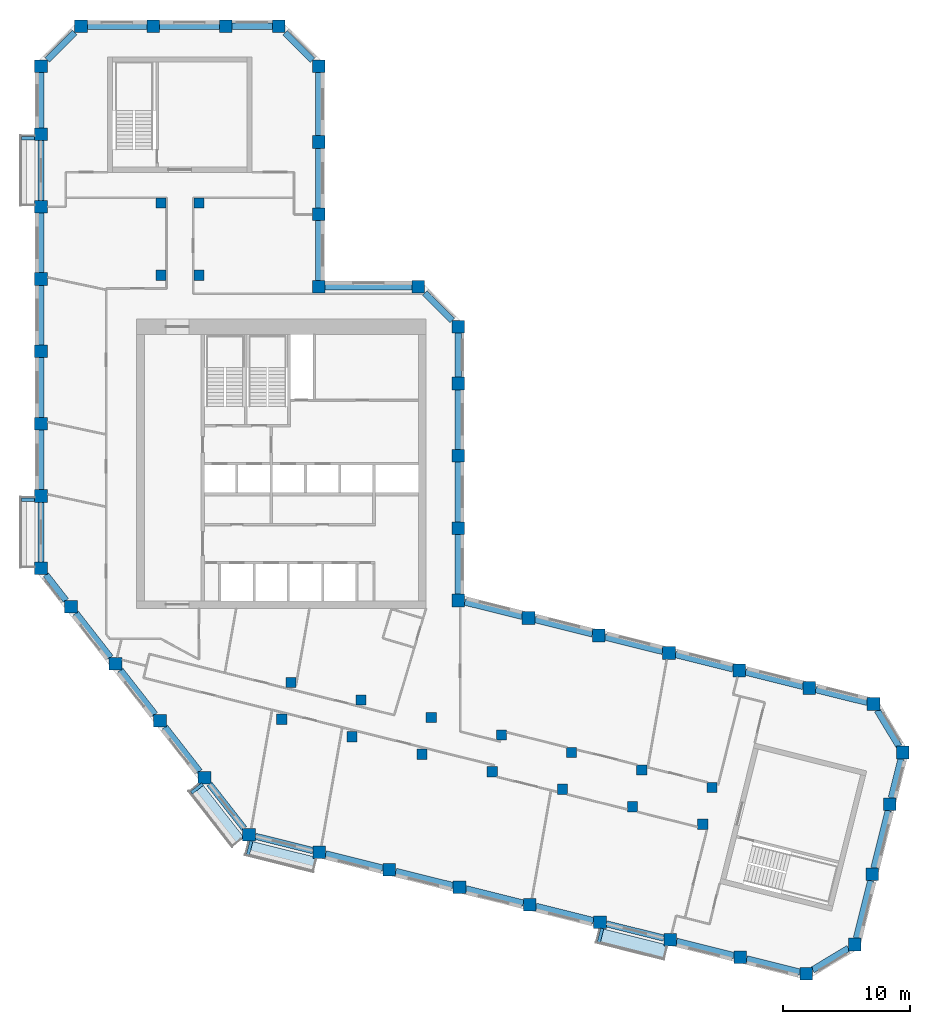
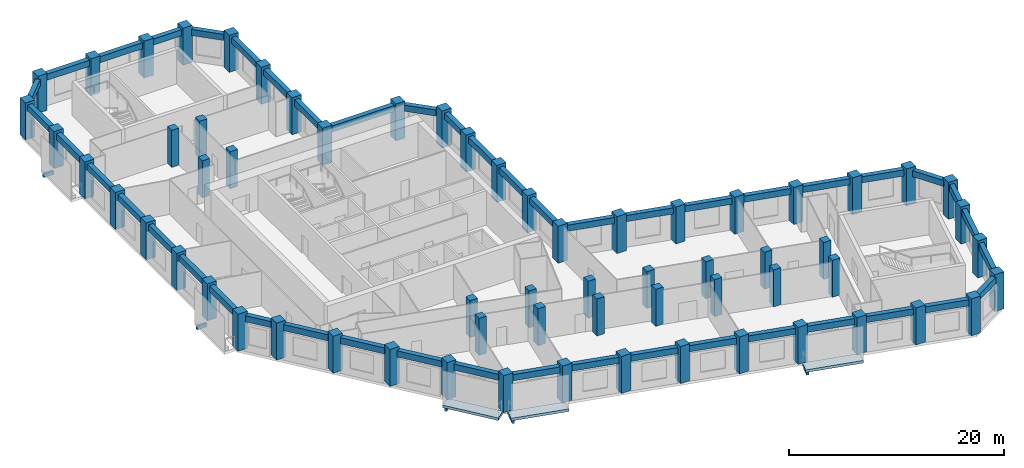
# One storey, part 1 of 9: 63 columns, 50 beams, 3 slabs.
"""IFC4 building model written with IfcOpenShell, lengths in metres."""

from ifc_helpers import new_model, si_unit, direction, frame, origin, origin_2d, place, context, subcontext, project, spatial, polyline, rectangle, outline, extrude, material, layer, layer_set, material_profile, profile_set, type_object, element, save


model = new_model("IFC4")

# Units and contexts
model_context = context("Model", 3, precision=1e-05, world=origin(), true_north=direction((0.0, 1.0)))
body_context = subcontext(model_context, "Body", "Model", "MODEL_VIEW")
ifc_project = project(units=[si_unit("LENGTHUNIT", "METRE"), si_unit("AREAUNIT", "SQUARE_METRE"), si_unit("VOLUMEUNIT", "CUBIC_METRE"), si_unit("PLANEANGLEUNIT", "RADIAN"), si_unit("MASSUNIT", "GRAM", prefix="KILO")], contexts=[model_context])

# Site, building, storey
site_placement = place(None, origin())
site = spatial("IfcSite", under=ifc_project, at=site_placement, CompositionType="ELEMENT")
building_placement = place(site_placement, origin())
building = spatial("IfcBuilding", under=site, at=building_placement, Name="Meshkara Civic Tower", CompositionType="ELEMENT")
storey_placement = place(building_placement, frame((0.0, 0.0, 298.199951171875)))
storey = spatial("IfcBuildingStorey", under=building, at=storey_placement, Name="L68", CompositionType="ELEMENT", Elevation=298.199951171875)

# Columns
ifc_material_1 = material(Name="Concrete C60", Category="concrete")
ifc_material_profile_1 = material_profile(ifc_material_1, rectangle(XDim=0.800048828125, YDim=0.800048828125, at=origin_2d()))
ifc_profile_set_1 = profile_set([ifc_material_profile_1], Name="Concrete C60")
column_type_1 = type_object("IfcColumnType", Name="Interior column RC 800x800 C60", PredefinedType="COLUMN", material=ifc_profile_set_1)
for number, where, z_axis, x_axis, name in (
    (1, (9.89990234375, 40.35009765625, 0.0), (0.0, 0.0, 1.0), (1.0, 0.0, 0.0), "Column SA1-04 L68"),
    (2, (9.89990234375, 46.050048828125, 0.0), (0.0, 0.0, 1.0), (1.0, 0.0, 0.0), "Column SA1-05 L68"),
    (3, (12.89990234375, 40.35009765625, 0.0), (0.0, 0.0, 1.0), (1.0, 0.0, 0.0), "Column SA2-04 L68"),
    (4, (12.89990234375, 46.050048828125, 0.0), (0.0, 0.0, 1.0), (1.0, 0.0, 0.0), "Column SA2-05 L68"),
    (5, (19.424072265625, 5.360107421875, 0.0), (0.0, 0.0, 1.0), (1.0, 0.0, 0.0), "Column SB1-00 L68"),
    (6, (24.9541015625, 3.98095703125, 0.0), (0.0, 0.0, 1.0), (1.0, 0.0, 0.0), "Column SB1-01 L68"),
    (7, (30.485107421875, 2.60205078125, 0.0), (0.0, 0.0, 1.0), (1.0, 0.0, 0.0), "Column SB1-02 L68"),
    (8, (36.01611328125, 1.222900390625, 0.0), (0.0, 0.0, 1.0), (1.0, 0.0, 0.0), "Column SB1-03 L68"),
    (9, (41.5458984375, -0.156005859375, 0.0), (0.0, 0.0, 1.0), (1.0, 0.0, 0.0), "Column SB1-04 L68"),
    (10, (47.076904296875, -1.534912109375, 0.0), (0.0, 0.0, 1.0), (1.0, 0.0, 0.0), "Column SB1-05 L68"),
    (11, (52.60791015625, -2.9140625, 0.0), (0.0, 0.0, 1.0), (1.0, 0.0, 0.0), "Column SB1-06 L68"),
    (12, (20.14892578125, 8.27099609375, 0.0), (0.0, 0.0, 1.0), (1.0, 0.0, 0.0), "Column SB2-00 L68"),
    (13, (25.679931640625, 6.89208984375, 0.0), (0.0, 0.0, 1.0), (1.0, 0.0, 0.0), "Column SB2-01 L68"),
    (14, (31.2109375, 5.512939453125, 0.0), (0.0, 0.0, 1.0), (1.0, 0.0, 0.0), "Column SB2-02 L68"),
    (15, (36.741943359375, 4.134033203125, 0.0), (0.0, 0.0, 1.0), (1.0, 0.0, 0.0), "Column SB2-03 L68"),
    (16, (42.27197265625, 2.7548828125, 0.0), (0.0, 0.0, 1.0), (1.0, 0.0, 0.0), "Column SB2-04 L68"),
    (17, (47.802978515625, 1.3759765625, 0.0), (0.0, 0.0, 1.0), (1.0, 0.0, 0.0), "Column SB2-05 L68"),
    (18, (53.333984375, -0.0029296875, 0.0), (0.0, 0.0, 1.0), (1.0, 0.0, 0.0), "Column SB2-06 L68"),
):
    element("IfcColumn", number, at=place(storey_placement, frame(where, z_axis=z_axis, x_axis=x_axis)), inside=storey, type_object=column_type_1, Name=name, PredefinedType="COLUMN", context=body_context, shape_type="SweptSolid", body=[
        extrude(rectangle(XDim=0.800048828125, YDim=0.800048828125, at=origin_2d()), origin(), (0.0, 0.0, 1.0), 4.199951171875),
    ])
ifc_material_2 = material(Name="Concrete C60", Category="concrete")
ifc_material_profile_2 = material_profile(ifc_material_2, rectangle(XDim=1.0, YDim=1.0, at=origin_2d()))
ifc_profile_set_2 = profile_set([ifc_material_profile_2], Name="Concrete C60")
column_type_2 = type_object("IfcColumnType", Name="Perimeter column RC 1000x1000 C60", PredefinedType="COLUMN", material=ifc_profile_set_2)
for number, where, z_axis, x_axis, name in (
    (19, (33.35009765625, 14.718994140625, 0.0), (0.0, 0.0, 1.0), (1.0, 0.0, 0.0), "Column HE00 L68"),
    (20, (33.35009765625, 20.4189453125, 0.0), (0.0, 0.0, 1.0), (1.0, 0.0, 0.0), "Column HE01 L68"),
    (21, (33.35009765625, 26.118896484375, 0.0), (0.0, 0.0, 1.0), (1.0, 0.0, 0.0), "Column HE02 L68"),
    (22, (33.35009765625, 31.819091796875, 0.0), (0.0, 0.0, 1.0), (1.0, 0.0, 0.0), "Column HE03 L68"),
    (23, (33.35009765625, 36.2939453125, 0.0), (0.0, 0.0, 1.0), (1.0, 0.0, 0.0), "Column HEE L68"),
    (24, (30.194091796875, 39.449951171875, 0.0), (0.0, 0.0, 1.0), (1.0, 0.0, 0.0), "Column HCeE L68"),
    (25, (22.35009765625, 39.449951171875, 0.0), (0.0, 0.0, 1.0), (1.0, 0.0, 0.0), "Column HN00 L68"),
    (26, (22.35009765625, 45.14990234375, 0.0), (0.0, 0.0, 1.0), (1.0, 0.0, 0.0), "Column AE01 L68"),
    (27, (22.35009765625, 50.85009765625, 0.0), (0.0, 0.0, 1.0), (1.0, 0.0, 0.0), "Column AE02 L68"),
    (28, (22.35009765625, 56.81396484375, 0.0), (0.0, 0.0, 1.0), (1.0, 0.0, 0.0), "Column AEEP4 L68"),
    (29, (19.194091796875, 59.969970703125, 0.0), (0.0, 0.0, 1.0), (1.0, 0.0, 0.0), "Column ATiEP4 L68"),
    (30, (3.60595703125, 59.969970703125, 0.0), (0.0, 0.0, 1.0), (1.0, 0.0, 0.0), "Column AT00-P4 L68"),
    (31, (9.305908203125, 59.969970703125, 0.0), (0.0, 0.0, 1.0), (1.0, 0.0, 0.0), "Column AT01-P4 L68"),
    (32, (15.006103515625, 59.969970703125, 0.0), (0.0, 0.0, 1.0), (1.0, 0.0, 0.0), "Column AT02-P4 L68"),
    (33, (0.449951171875, 56.81396484375, 0.0), (0.0, 0.0, 1.0), (1.0, 0.0, 0.0), "Column ATo00-P4 L68"),
    (34, (0.449951171875, 17.2548828125, 0.0), (0.0, 0.0, 1.0), (1.0, 0.0, 0.0), "Column AW00 L68"),
    (35, (0.449951171875, 22.955078125, 0.0), (0.0, 0.0, 1.0), (1.0, 0.0, 0.0), "Column AW01 L68"),
    (36, (0.449951171875, 28.655029296875, 0.0), (0.0, 0.0, 1.0), (1.0, 0.0, 0.0), "Column AW02 L68"),
    (37, (0.449951171875, 34.35498046875, 0.0), (0.0, 0.0, 1.0), (1.0, 0.0, 0.0), "Column AW03 L68"),
    (38, (0.449951171875, 40.054931640625, 0.0), (0.0, 0.0, 1.0), (1.0, 0.0, 0.0), "Column AW04 L68"),
    (39, (0.449951171875, 45.7548828125, 0.0), (0.0, 0.0, 1.0), (1.0, 0.0, 0.0), "Column AW05 L68"),
    (40, (0.449951171875, 51.455078125, 0.0), (0.0, 0.0, 1.0), (1.0, 0.0, 0.0), "Column AW06 L68"),
    (41, (16.85107421875, -3.738037109375, 0.0), (0.0, 0.0, 1.0), (1.0, 0.0, 0.0), "Column BOW00 L68"),
    (42, (13.342041015625, 0.75390625, 0.0), (0.0, 0.0, 1.0), (1.0, 0.0, 0.0), "Column BOW01 L68"),
    (43, (9.8330078125, 5.2451171875, 0.0), (0.0, 0.0, 1.0), (1.0, 0.0, 0.0), "Column BOW02 L68"),
    (44, (6.322998046875, 9.737060546875, 0.0), (0.0, 0.0, 1.0), (1.0, 0.0, 0.0), "Column BOW03 L68"),
    (45, (2.81396484375, 14.22900390625, 0.0), (0.0, 0.0, 1.0), (1.0, 0.0, 0.0), "Column BOW04 L68"),
    (46, (22.382080078125, -5.116943359375, 0.0), (0.0, 0.0, 1.0), (1.0, 0.0, 0.0), "Column BS01 L68"),
    (47, (27.912109375, -6.49609375, 0.0), (0.0, 0.0, 1.0), (1.0, 0.0, 0.0), "Column BS02 L68"),
    (48, (33.443115234375, -7.875, 0.0), (0.0, 0.0, 1.0), (1.0, 0.0, 0.0), "Column BS03 L68"),
    (49, (38.97412109375, -9.25390625, 0.0), (0.0, 0.0, 1.0), (1.0, 0.0, 0.0), "Column BS04 L68"),
    (50, (44.50390625, -10.633056640625, 0.0), (0.0, 0.0, 1.0), (1.0, 0.0, 0.0), "Column BS05-P4 L68"),
    (51, (50.034912109375, -12.011962890625, 0.0), (0.0, 0.0, 1.0), (1.0, 0.0, 0.0), "Column BS06-P4 L68"),
    (52, (55.56591796875, -13.389892578125, 0.0), (0.0, 0.0, 1.0), (1.0, 0.0, 0.0), "Column BS07 L68"),
    (53, (60.76611328125, -14.68701171875, 0.0), (0.0, 0.0, 1.0), (1.0, 0.0, 0.0), "Column BSEP4 L68"),
    (54, (64.591064453125, -12.386962890625, 0.0), (0.0, 0.0, 1.0), (1.0, 0.0, 0.0), "Column BToEP4 L68"),
    (55, (65.969970703125, -6.85595703125, 0.0), (0.0, 0.0, 1.0), (1.0, 0.0, 0.0), "Column BT01-P4 L68"),
    (56, (67.34912109375, -1.325927734375, 0.0), (0.0, 0.0, 1.0), (1.0, 0.0, 0.0), "Column BT02-P4 L68"),
    (57, (68.362060546875, 2.736083984375, 0.0), (0.0, 0.0, 1.0), (1.0, 0.0, 0.0), "Column BTEP4 L68"),
    (58, (66.06298828125, 6.56201171875, 0.0), (0.0, 0.0, 1.0), (1.0, 0.0, 0.0), "Column BTi00-P4 L68"),
    (59, (38.881103515625, 13.340087890625, 0.0), (0.0, 0.0, 1.0), (1.0, 0.0, 0.0), "Column BN01 L68"),
    (60, (44.410888671875, 11.9609375, 0.0), (0.0, 0.0, 1.0), (1.0, 0.0, 0.0), "Column BN02 L68"),
    (61, (49.94189453125, 10.58203125, 0.0), (0.0, 0.0, 1.0), (1.0, 0.0, 0.0), "Column BN03 L68"),
    (62, (55.472900390625, 9.202880859375, 0.0), (0.0, 0.0, 1.0), (1.0, 0.0, 0.0), "Column BN04 L68"),
    (63, (61.0029296875, 7.823974609375, 0.0), (0.0, 0.0, 1.0), (1.0, 0.0, 0.0), "Column BN05 L68"),
):
    element("IfcColumn", number, at=place(storey_placement, frame(where, z_axis=z_axis, x_axis=x_axis)), inside=storey, type_object=column_type_2, Name=name, PredefinedType="COLUMN", context=body_context, shape_type="SweptSolid", body=[
        extrude(rectangle(XDim=1.0, YDim=1.0, at=origin_2d()), origin(), (0.0, 0.0, 1.0), 4.199951171875),
    ])

# Beams
ifc_material_3 = material(Name="Concrete C50", Category="concrete")
ifc_material_profile_3 = material_profile(ifc_material_3, rectangle(XDim=0.25, YDim=0.39990234375, at=origin_2d()))
ifc_profile_set_3 = profile_set([ifc_material_profile_3], Name="Concrete C50")
beam_type_1 = type_object("IfcBeamType", Name="Balcony bracket beam RC 250x400 C50", PredefinedType="BEAM", material=ifc_profile_set_3)
for number, where, z_axis, x_axis, name in (
    (64, (-0.044921875, 51.155029296875, -0.5), (-1.0, 0.0, 0.0), (0.0, -1.0, 0.0), "Balcony bracket beam"),
    (65, (-0.044921875, 22.655029296875, -0.5), (-1.0, 0.0, 0.0), (0.0, -1.0, 0.0), "Balcony bracket beam"),
):
    element("IfcBeam", number, at=place(storey_placement, frame(where, z_axis=z_axis, x_axis=x_axis)), inside=storey, type_object=beam_type_1, Name=name, PredefinedType="BEAM", context=body_context, shape_type="SweptSolid", body=[
        extrude(rectangle(XDim=0.25, YDim=0.39990234375, at=origin_2d()), origin(), (0.0, 0.0, 1.0), 1.05517578125),
    ])
beam_1_placement = place(storey_placement, frame((13.193115234375, 0.257080078125, -0.5), z_axis=(-0.787938992743, -0.61575331401, 0.0), x_axis=(0.61575331401, -0.787938992743, 0.0)))
element("IfcBeam", 66, at=beam_1_placement, inside=storey, type_object=beam_type_1, Name="Balcony bracket beam", PredefinedType="BEAM", context=body_context, shape_type="SweptSolid", body=[
    extrude(rectangle(XDim=0.25, YDim=0.39990234375, at=origin_2d()), origin(), (0.0, 0.0, 1.0), 1.127197265625),
])
for number, where, z_axis, x_axis, name in (
    (67, (17.037109375, -4.23291015625, -0.5), (-0.242329403705, -0.970194032192, 0.0), (0.970194032192, -0.242329403705, 0.0), "Balcony bracket beam"),
    (68, (44.68994140625, -11.1279296875, -0.5), (-0.242329403705, -0.970194032192, 0.0), (0.970194032192, -0.242329403705, 0.0), "Balcony bracket beam"),
):
    element("IfcBeam", number, at=place(storey_placement, frame(where, z_axis=z_axis, x_axis=x_axis)), inside=storey, type_object=beam_type_1, Name=name, PredefinedType="BEAM", context=body_context, shape_type="SweptSolid", body=[
        extrude(rectangle(XDim=0.25, YDim=0.39990234375, at=origin_2d()), origin(), (0.0, 0.0, 1.0), 1.1142578125),
    ])
ifc_material_4 = material(Name="Concrete C50", Category="concrete")
ifc_material_profile_4 = material_profile(ifc_material_4, rectangle(XDim=0.5, YDim=0.699951171875, at=origin_2d()))
ifc_profile_set_4 = profile_set([ifc_material_profile_4], Name="Concrete C50")
beam_type_2 = type_object("IfcBeamType", Name="Spandrel beam RC 500x700 C50", PredefinedType="BEAM", material=ifc_profile_set_4)
beam_2_placement = place(storey_placement, frame((60.5078125, 7.947509765625, 3.550048828125), z_axis=(-0.970286590806, 0.241958533023, 0.0), x_axis=(-0.241958533023, -0.970286590806, 0.0)))
element("IfcBeam", 69, at=beam_2_placement, inside=storey, type_object=beam_type_2, Name="Spandrel beam BN04-BN05", PredefinedType="BEAM", context=body_context, shape_type="SweptSolid", body=[
    extrude(rectangle(XDim=0.5, YDim=0.699951171875, at=origin_2d()), origin(), (0.0, 0.0, 1.0), 4.6787109375),
])
beam_3_placement = place(storey_placement, frame((54.977783203125, 9.326416015625, 3.550048828125), z_axis=(-0.970298806378, 0.241909541651, 0.0), x_axis=(-0.241909541651, -0.970298806378, 0.0)))
element("IfcBeam", 70, at=beam_3_placement, inside=storey, type_object=beam_type_2, Name="Spandrel beam BN03-BN04", PredefinedType="BEAM", context=body_context, shape_type="SweptSolid", body=[
    extrude(rectangle(XDim=0.5, YDim=0.699951171875, at=origin_2d()), origin(), (0.0, 0.0, 1.0), 4.6796875),
])
beam_4_placement = place(storey_placement, frame((49.447021484375, 10.70556640625, 3.550048828125), z_axis=(-0.970314102262, 0.241848181618, 0.0), x_axis=(-0.241848181618, -0.970314102262, 0.0)))
element("IfcBeam", 71, at=beam_4_placement, inside=storey, type_object=beam_type_2, Name="Spandrel beam BN02-BN03", PredefinedType="BEAM", context=body_context, shape_type="SweptSolid", body=[
    extrude(rectangle(XDim=0.5, YDim=0.699951171875, at=origin_2d()), origin(), (0.0, 0.0, 1.0), 4.679931640625),
])
beam_5_placement = place(storey_placement, frame((43.916015625, 12.08447265625, 3.550048828125), z_axis=(-0.970286590806, 0.241958533023, 0.0), x_axis=(-0.241958533023, -0.970286590806, 0.0)))
element("IfcBeam", 72, at=beam_5_placement, inside=storey, type_object=beam_type_2, Name="Spandrel beam BN01-BN02", PredefinedType="BEAM", context=body_context, shape_type="SweptSolid", body=[
    extrude(rectangle(XDim=0.5, YDim=0.699951171875, at=origin_2d()), origin(), (0.0, 0.0, 1.0), 4.6787109375),
])
beam_6_placement = place(storey_placement, frame((38.385986328125, 13.46337890625, 3.550048828125), z_axis=(-0.970298806378, 0.241909541651, 0.0), x_axis=(-0.241909541651, -0.970298806378, 0.0)))
element("IfcBeam", 73, at=beam_6_placement, inside=storey, type_object=beam_type_2, Name="Spandrel beam BN01-HE00", PredefinedType="BEAM", context=body_context, shape_type="SweptSolid", body=[
    extrude(rectangle(XDim=0.5, YDim=0.699951171875, at=origin_2d()), origin(), (0.0, 0.0, 1.0), 4.6796875),
])
for number, where, z_axis, x_axis, name in (
    (74, (33.35009765625, 15.214111328125, 3.550048828125), (0.0, 1.0, 0.0), (-1.0, 0.0, 0.0), "Spandrel beam HE00-HE01"),
    (75, (33.35009765625, 20.9140625, 3.550048828125), (0.0, 1.0, 0.0), (-1.0, 0.0, 0.0), "Spandrel beam HE01-HE02"),
    (76, (33.35009765625, 26.614013671875, 3.550048828125), (0.0, 1.0, 0.0), (-1.0, 0.0, 0.0), "Spandrel beam HE02-HE03"),
):
    element("IfcBeam", number, at=place(storey_placement, frame(where, z_axis=z_axis, x_axis=x_axis)), inside=storey, type_object=beam_type_2, Name=name, PredefinedType="BEAM", context=body_context, shape_type="SweptSolid", body=[
        extrude(rectangle(XDim=0.5, YDim=0.699951171875, at=origin_2d()), origin(), (0.0, 0.0, 1.0), 4.7099609375),
    ])
beam_7_placement = place(storey_placement, frame((33.35009765625, 32.31396484375, 3.550048828125), z_axis=(0.0, 1.0, 0.0), x_axis=(-1.0, 0.0, 0.0)))
element("IfcBeam", 77, at=beam_7_placement, inside=storey, type_object=beam_type_2, Name="Spandrel beam HE03-HEE", PredefinedType="BEAM", context=body_context, shape_type="SweptSolid", body=[
    extrude(rectangle(XDim=0.5, YDim=0.699951171875, at=origin_2d()), origin(), (0.0, 0.0, 1.0), 3.485107421875),
])
beam_8_placement = place(storey_placement, frame((32.853515625, 36.79052734375, 3.550048828125), z_axis=(-0.707106781187, 0.707106781187, 0.0), x_axis=(-0.707106781187, -0.707106781187, 0.0)))
element("IfcBeam", 78, at=beam_8_placement, inside=storey, type_object=beam_type_2, Name="Spandrel beam HCeE-HEE", PredefinedType="BEAM", context=body_context, shape_type="SweptSolid", body=[
    extrude(rectangle(XDim=0.5, YDim=0.699951171875, at=origin_2d()), origin(), (0.0, 0.0, 1.0), 3.05908203125),
])
beam_9_placement = place(storey_placement, frame((29.698974609375, 39.449951171875, 3.550048828125), z_axis=(-1.0, 0.0, 0.0), x_axis=(0.0, -1.0, 0.0)))
element("IfcBeam", 79, at=beam_9_placement, inside=storey, type_object=beam_type_2, Name="Spandrel beam HCeE-HN00", PredefinedType="BEAM", context=body_context, shape_type="SweptSolid", body=[
    extrude(rectangle(XDim=0.5, YDim=0.699951171875, at=origin_2d()), origin(), (0.0, 0.0, 1.0), 6.85400390625),
])
for number, where, z_axis, x_axis, name in (
    (80, (22.35009765625, 39.945068359375, 3.550048828125), (0.0, 1.0, 0.0), (-1.0, 0.0, 0.0), "Spandrel beam AE01-HN00"),
    (81, (22.35009765625, 45.64501953125, 3.550048828125), (0.0, 1.0, 0.0), (-1.0, 0.0, 0.0), "Spandrel beam AE01-AE02"),
):
    element("IfcBeam", number, at=place(storey_placement, frame(where, z_axis=z_axis, x_axis=x_axis)), inside=storey, type_object=beam_type_2, Name=name, PredefinedType="BEAM", context=body_context, shape_type="SweptSolid", body=[
        extrude(rectangle(XDim=0.5, YDim=0.699951171875, at=origin_2d()), origin(), (0.0, 0.0, 1.0), 4.7099609375),
    ])
beam_10_placement = place(storey_placement, frame((22.35009765625, 51.344970703125, 3.550048828125), z_axis=(0.0, 1.0, 0.0), x_axis=(-1.0, 0.0, 0.0)))
element("IfcBeam", 82, at=beam_10_placement, inside=storey, type_object=beam_type_2, Name="Spandrel beam AE02-AEEP4", PredefinedType="BEAM", context=body_context, shape_type="SweptSolid", body=[
    extrude(rectangle(XDim=0.5, YDim=0.699951171875, at=origin_2d()), origin(), (0.0, 0.0, 1.0), 4.97412109375),
])
beam_11_placement = place(storey_placement, frame((21.853515625, 57.310546875, 3.550048828125), z_axis=(-0.707146686758, 0.707066873363, 0.0), x_axis=(-0.707066873363, -0.707146686758, 0.0)))
element("IfcBeam", 83, at=beam_11_placement, inside=storey, type_object=beam_type_2, Name="Spandrel beam AEEP4-ATiEP4", PredefinedType="BEAM", context=body_context, shape_type="SweptSolid", body=[
    extrude(rectangle(XDim=0.5, YDim=0.699951171875, at=origin_2d()), origin(), (0.0, 0.0, 1.0), 3.058837890625),
])
beam_12_placement = place(storey_placement, frame((18.698974609375, 59.969970703125, 3.550048828125), z_axis=(-1.0, 0.0, 0.0), x_axis=(0.0, -1.0, 0.0)))
element("IfcBeam", 84, at=beam_12_placement, inside=storey, type_object=beam_type_2, Name="Spandrel beam AT02-P4-ATiEP4", PredefinedType="BEAM", context=body_context, shape_type="SweptSolid", body=[
    extrude(rectangle(XDim=0.5, YDim=0.699951171875, at=origin_2d()), origin(), (0.0, 0.0, 1.0), 3.197998046875),
])
for number, where, z_axis, x_axis, name in (
    (85, (14.510986328125, 59.969970703125, 3.550048828125), (-1.0, 0.0, 0.0), (0.0, -1.0, 0.0), "Spandrel beam AT01-P4-AT02-P4"),
    (86, (8.81103515625, 59.969970703125, 3.550048828125), (-1.0, 0.0, 0.0), (0.0, -1.0, 0.0), "Spandrel beam AT00-P4-AT01-P4"),
):
    element("IfcBeam", number, at=place(storey_placement, frame(where, z_axis=z_axis, x_axis=x_axis)), inside=storey, type_object=beam_type_2, Name=name, PredefinedType="BEAM", context=body_context, shape_type="SweptSolid", body=[
        extrude(rectangle(XDim=0.5, YDim=0.699951171875, at=origin_2d()), origin(), (0.0, 0.0, 1.0), 4.7099609375),
    ])
beam_13_placement = place(storey_placement, frame((3.109619140625, 59.473388671875, 3.550048828125), z_axis=(-0.707146686758, -0.707066873363, 0.0), x_axis=(0.707066873363, -0.707146686758, 0.0)))
element("IfcBeam", 87, at=beam_13_placement, inside=storey, type_object=beam_type_2, Name="Spandrel beam AT00-P4-ATo00-P4", PredefinedType="BEAM", context=body_context, shape_type="SweptSolid", body=[
    extrude(rectangle(XDim=0.5, YDim=0.699951171875, at=origin_2d()), origin(), (0.0, 0.0, 1.0), 3.058837890625),
])
beam_14_placement = place(storey_placement, frame((0.449951171875, 56.319091796875, 3.550048828125), z_axis=(0.0, -1.0, 0.0), x_axis=(1.0, 0.0, 0.0)))
element("IfcBeam", 88, at=beam_14_placement, inside=storey, type_object=beam_type_2, Name="Spandrel beam ATo00-P4-AW06", PredefinedType="BEAM", context=body_context, shape_type="SweptSolid", body=[
    extrude(rectangle(XDim=0.5, YDim=0.699951171875, at=origin_2d()), origin(), (0.0, 0.0, 1.0), 4.369140625),
])
for number, where, z_axis, x_axis, name in (
    (89, (0.449951171875, 50.9599609375, 3.550048828125), (0.0, -1.0, 0.0), (1.0, 0.0, 0.0), "Spandrel beam AW05-AW06"),
    (90, (0.449951171875, 45.260009765625, 3.550048828125), (0.0, -1.0, 0.0), (1.0, 0.0, 0.0), "Spandrel beam AW04-AW05"),
    (91, (0.449951171875, 39.56005859375, 3.550048828125), (0.0, -1.0, 0.0), (1.0, 0.0, 0.0), "Spandrel beam AW03-AW04"),
):
    element("IfcBeam", number, at=place(storey_placement, frame(where, z_axis=z_axis, x_axis=x_axis)), inside=storey, type_object=beam_type_2, Name=name, PredefinedType="BEAM", context=body_context, shape_type="SweptSolid", body=[
        extrude(rectangle(XDim=0.5, YDim=0.699951171875, at=origin_2d()), origin(), (0.0, 0.0, 1.0), 4.7099609375),
    ])
beam_15_placement = place(storey_placement, frame((0.449951171875, 33.860107421875, 3.550048828125), z_axis=(0.0, -1.0, 0.0), x_axis=(1.0, 0.0, 0.0)))
element("IfcBeam", 92, at=beam_15_placement, inside=storey, type_object=beam_type_2, Name="Spandrel beam AW02-AW03", PredefinedType="BEAM", context=body_context, shape_type="SweptSolid", body=[
    extrude(rectangle(XDim=0.5, YDim=0.699951171875, at=origin_2d()), origin(), (0.0, 0.0, 1.0), 4.710205078125),
])
for number, where, z_axis, x_axis, name in (
    (93, (0.449951171875, 28.159912109375, 3.550048828125), (0.0, -1.0, 0.0), (1.0, 0.0, 0.0), "Spandrel beam AW01-AW02"),
    (94, (0.449951171875, 22.4599609375, 3.550048828125), (0.0, -1.0, 0.0), (1.0, 0.0, 0.0), "Spandrel beam AW00-AW01"),
):
    element("IfcBeam", number, at=place(storey_placement, frame(where, z_axis=z_axis, x_axis=x_axis)), inside=storey, type_object=beam_type_2, Name=name, PredefinedType="BEAM", context=body_context, shape_type="SweptSolid", body=[
        extrude(rectangle(XDim=0.5, YDim=0.699951171875, at=origin_2d()), origin(), (0.0, 0.0, 1.0), 4.7099609375),
    ])
beam_16_placement = place(storey_placement, frame((0.83740234375, 16.7587890625, 3.550048828125), z_axis=(0.615713794912, -0.787969874269, 0.0), x_axis=(0.787969874269, 0.615713794912, 0.0)))
element("IfcBeam", 95, at=beam_16_placement, inside=storey, type_object=beam_type_2, Name="Spandrel beam AW00-BOW04", PredefinedType="BEAM", context=body_context, shape_type="SweptSolid", body=[
    extrude(rectangle(XDim=0.5, YDim=0.699951171875, at=origin_2d()), origin(), (0.0, 0.0, 1.0), 2.580810546875),
])
beam_17_placement = place(storey_placement, frame((3.201416015625, 13.73291015625, 3.550048828125), z_axis=(0.615636574491, -0.788030207637, 0.0), x_axis=(0.788030207637, 0.615636574491, 0.0)))
element("IfcBeam", 96, at=beam_17_placement, inside=storey, type_object=beam_type_2, Name="Spandrel beam BOW03-BOW04", PredefinedType="BEAM", context=body_context, shape_type="SweptSolid", body=[
    extrude(rectangle(XDim=0.5, YDim=0.699951171875, at=origin_2d()), origin(), (0.0, 0.0, 1.0), 4.441162109375),
])
beam_18_placement = place(storey_placement, frame((6.710693359375, 9.240966796875, 3.550048828125), z_axis=(0.615704842432, -0.787976869588, 0.0), x_axis=(0.787976869588, 0.615704842432, 0.0)))
element("IfcBeam", 97, at=beam_18_placement, inside=storey, type_object=beam_type_2, Name="Spandrel beam BOW02-BOW03", PredefinedType="BEAM", context=body_context, shape_type="SweptSolid", body=[
    extrude(rectangle(XDim=0.5, YDim=0.699951171875, at=origin_2d()), origin(), (0.0, 0.0, 1.0), 4.44140625),
])
beam_19_placement = place(storey_placement, frame((10.220703125, 4.748779296875, 3.550048828125), z_axis=(0.615674985547, -0.788000198078, 0.0), x_axis=(0.788000198078, 0.615674985547, 0.0)))
element("IfcBeam", 98, at=beam_19_placement, inside=storey, type_object=beam_type_2, Name="Spandrel beam BOW01-BOW02", PredefinedType="BEAM", context=body_context, shape_type="SweptSolid", body=[
    extrude(rectangle(XDim=0.5, YDim=0.699951171875, at=origin_2d()), origin(), (0.0, 0.0, 1.0), 4.440185546875),
])
beam_20_placement = place(storey_placement, frame((13.7294921875, 0.2578125, 3.550048828125), z_axis=(0.615602435322, -0.788056877151, 0.0), x_axis=(0.788056877151, 0.615602435322, 0.0)))
element("IfcBeam", 99, at=beam_20_placement, inside=storey, type_object=beam_type_2, Name="Spandrel beam BOW00-BOW01", PredefinedType="BEAM", context=body_context, shape_type="SweptSolid", body=[
    extrude(rectangle(XDim=0.5, YDim=0.699951171875, at=origin_2d()), origin(), (0.0, 0.0, 1.0), 4.44091796875),
])
beam_21_placement = place(storey_placement, frame((17.34619140625, -3.861572265625, 3.550048828125), z_axis=(0.970311050729, -0.24186042428, 0.0), x_axis=(0.24186042428, 0.970311050729, 0.0)))
element("IfcBeam", 100, at=beam_21_placement, inside=storey, type_object=beam_type_2, Name="Spandrel beam BOW00-BS01", PredefinedType="BEAM", context=body_context, shape_type="SweptSolid", body=[
    extrude(rectangle(XDim=0.5, YDim=0.699951171875, at=origin_2d()), origin(), (0.0, 0.0, 1.0), 4.6796875),
])
beam_22_placement = place(storey_placement, frame((22.877197265625, -5.240478515625, 3.550048828125), z_axis=(0.970286590806, -0.241958533023, 0.0), x_axis=(0.241958533023, 0.970286590806, 0.0)))
element("IfcBeam", 101, at=beam_22_placement, inside=storey, type_object=beam_type_2, Name="Spandrel beam BS01-BS02", PredefinedType="BEAM", context=body_context, shape_type="SweptSolid", body=[
    extrude(rectangle(XDim=0.5, YDim=0.699951171875, at=origin_2d()), origin(), (0.0, 0.0, 1.0), 4.6787109375),
])
for number, where, z_axis, x_axis, name in (
    (102, (28.406982421875, -6.619384765625, 3.550048828125), (0.970301859111, -0.241897296812, 0.0), (0.241897296812, 0.970301859111, 0.0), "Spandrel beam BS02-BS03"),
    (103, (33.93798828125, -7.99853515625, 3.550048828125), (0.970301859111, -0.241897296812, 0.0), (0.241897296812, 0.970301859111, 0.0), "Spandrel beam BS03-BS04"),
):
    element("IfcBeam", number, at=place(storey_placement, frame(where, z_axis=z_axis, x_axis=x_axis)), inside=storey, type_object=beam_type_2, Name=name, PredefinedType="BEAM", context=body_context, shape_type="SweptSolid", body=[
        extrude(rectangle(XDim=0.5, YDim=0.699951171875, at=origin_2d()), origin(), (0.0, 0.0, 1.0), 4.679931640625),
    ])
beam_23_placement = place(storey_placement, frame((39.468994140625, -9.37744140625, 3.550048828125), z_axis=(0.970286590806, -0.241958533023, 0.0), x_axis=(0.241958533023, 0.970286590806, 0.0)))
element("IfcBeam", 104, at=beam_23_placement, inside=storey, type_object=beam_type_2, Name="Spandrel beam BS04-BS05-P4", PredefinedType="BEAM", context=body_context, shape_type="SweptSolid", body=[
    extrude(rectangle(XDim=0.5, YDim=0.699951171875, at=origin_2d()), origin(), (0.0, 0.0, 1.0), 4.6787109375),
])
beam_24_placement = place(storey_placement, frame((44.9990234375, -10.756591796875, 3.550048828125), z_axis=(0.970311050729, -0.24186042428, 0.0), x_axis=(0.24186042428, 0.970311050729, 0.0)))
element("IfcBeam", 105, at=beam_24_placement, inside=storey, type_object=beam_type_2, Name="Spandrel beam BS05-P4-BS06-P4", PredefinedType="BEAM", context=body_context, shape_type="SweptSolid", body=[
    extrude(rectangle(XDim=0.5, YDim=0.699951171875, at=origin_2d()), origin(), (0.0, 0.0, 1.0), 4.6796875),
])
beam_25_placement = place(storey_placement, frame((50.530029296875, -12.135498046875, 3.550048828125), z_axis=(0.970347770718, -0.241713061011, 0.0), x_axis=(0.241713061011, 0.970347770718, 0.0)))
element("IfcBeam", 106, at=beam_25_placement, inside=storey, type_object=beam_type_2, Name="Spandrel beam BS06-P4-BS07", PredefinedType="BEAM", context=body_context, shape_type="SweptSolid", body=[
    extrude(rectangle(XDim=0.5, YDim=0.699951171875, at=origin_2d()), origin(), (0.0, 0.0, 1.0), 4.679443359375),
])
beam_26_placement = place(storey_placement, frame((56.06103515625, -13.513427734375, 3.550048828125), z_axis=(0.970274749447, -0.242006013533, 0.0), x_axis=(0.242006013533, 0.970274749447, 0.0)))
element("IfcBeam", 107, at=beam_26_placement, inside=storey, type_object=beam_type_2, Name="Spandrel beam BS07-BSEP4", PredefinedType="BEAM", context=body_context, shape_type="SweptSolid", body=[
    extrude(rectangle(XDim=0.5, YDim=0.699951171875, at=origin_2d()), origin(), (0.0, 0.0, 1.0), 4.3388671875),
])
beam_27_placement = place(storey_placement, frame((61.26171875, -14.388916015625, 3.550048828125), z_axis=(0.856990838189, 0.515331643953, 0.0), x_axis=(-0.515331643953, 0.856990838189, 0.0)))
element("IfcBeam", 108, at=beam_27_placement, inside=storey, type_object=beam_type_2, Name="Spandrel beam BSEP4-BToEP4", PredefinedType="BEAM", context=body_context, shape_type="SweptSolid", body=[
    extrude(rectangle(XDim=0.5, YDim=0.699951171875, at=origin_2d()), origin(), (0.0, 0.0, 1.0), 3.306396484375),
])
beam_28_placement = place(storey_placement, frame((64.714599609375, -11.891845703125, 3.550048828125), z_axis=(0.24186042428, 0.970311050729, 0.0), x_axis=(-0.970311050729, 0.24186042428, 0.0)))
element("IfcBeam", 109, at=beam_28_placement, inside=storey, type_object=beam_type_2, Name="Spandrel beam BT01-P4-BToEP4", PredefinedType="BEAM", context=body_context, shape_type="SweptSolid", body=[
    extrude(rectangle(XDim=0.5, YDim=0.699951171875, at=origin_2d()), origin(), (0.0, 0.0, 1.0), 4.6796875),
])
beam_29_placement = place(storey_placement, frame((66.093505859375, -6.36083984375, 3.550048828125), z_axis=(0.241958533023, 0.970286590806, 0.0), x_axis=(-0.970286590806, 0.241958533023, 0.0)))
element("IfcBeam", 110, at=beam_29_placement, inside=storey, type_object=beam_type_2, Name="Spandrel beam BT01-P4-BT02-P4", PredefinedType="BEAM", context=body_context, shape_type="SweptSolid", body=[
    extrude(rectangle(XDim=0.5, YDim=0.699951171875, at=origin_2d()), origin(), (0.0, 0.0, 1.0), 4.6787109375),
])
beam_30_placement = place(storey_placement, frame((67.472412109375, -0.830810546875, 3.550048828125), z_axis=(0.241991235859, 0.970278435176, 0.0), x_axis=(-0.970278435176, 0.241991235859, 0.0)))
element("IfcBeam", 111, at=beam_30_placement, inside=storey, type_object=beam_type_2, Name="Spandrel beam BT02-P4-BTEP4", PredefinedType="BEAM", context=body_context, shape_type="SweptSolid", body=[
    extrude(rectangle(XDim=0.5, YDim=0.699951171875, at=origin_2d()), origin(), (0.0, 0.0, 1.0), 3.165771484375),
])
beam_31_placement = place(storey_placement, frame((68.064208984375, 3.231689453125, 3.550048828125), z_axis=(-0.515060169575, 0.8571540245, 0.0), x_axis=(-0.8571540245, -0.515060169575, 0.0)))
element("IfcBeam", 112, at=beam_31_placement, inside=storey, type_object=beam_type_2, Name="Spandrel beam BTEP4-BTi00-P4", PredefinedType="BEAM", context=body_context, shape_type="SweptSolid", body=[
    extrude(rectangle(XDim=0.5, YDim=0.699951171875, at=origin_2d()), origin(), (0.0, 0.0, 1.0), 3.30712890625),
])
beam_32_placement = place(storey_placement, frame((65.56787109375, 6.685546875, 3.550048828125), z_axis=(-0.970286131512, 0.241960374847, 0.0), x_axis=(-0.241960374847, -0.970286131512, 0.0)))
element("IfcBeam", 113, at=beam_32_placement, inside=storey, type_object=beam_type_2, Name="Spandrel beam BN05-BTi00-P4", PredefinedType="BEAM", context=body_context, shape_type="SweptSolid", body=[
    extrude(rectangle(XDim=0.5, YDim=0.699951171875, at=origin_2d()), origin(), (0.0, 0.0, 1.0), 4.1943359375),
])

# Slabs
ifc_material_5 = material(Name="Concrete C40", Category="concrete")
ifc_layer = layer(ifc_material_5, 0.300048828125)
ifc_layer_set = layer_set([ifc_layer], Name="BALCONY SLAB")
slab_type = type_object("IfcSlabType", Name="BALCONY SLAB", PredefinedType="FLOOR", material=ifc_layer_set)
slab_1_placement = place(storey_placement, frame((0.0, 0.0, -0.300048828125)))
element("IfcSlab", 114, at=slab_1_placement, inside=storey, type_object=slab_type, Name="Balcony slab", PredefinedType="FLOOR", context=body_context, shape_type="SweptSolid", body=[
    extrude(outline(polyline([(15.513916015625, -4.7060546875), (12.0791015625, -0.30908203125), (12.842041015625, 0.287109375), (12.842041015625, 0.25390625), (13.160888671875, 0.25390625), (16.35107421875, -3.8291015625), (16.35107421875, -4.052001953125), (15.513916015625, -4.7060546875)])), origin(), (0.0, 0.0, 1.0), 0.300048828125),
])
slab_2_placement = place(storey_placement, frame((0.0, 0.0, -0.300048828125)))
element("IfcSlab", 115, at=slab_2_placement, inside=storey, type_object=slab_type, Name="Balcony slab", PredefinedType="FLOOR", context=body_context, shape_type="SweptSolid", body=[
    extrude(outline(polyline([(21.925048828125, -6.702880859375), (16.510009765625, -5.35302734375), (16.7880859375, -4.238037109375), (16.9970703125, -4.238037109375), (21.882080078125, -5.4560546875), (21.882080078125, -5.616943359375), (22.195068359375, -5.616943359375), (21.925048828125, -6.702880859375)])), origin(), (0.0, 0.0, 1.0), 0.300048828125),
])
slab_3_placement = place(storey_placement, frame((0.0, 0.0, -0.300048828125)))
element("IfcSlab", 116, at=slab_3_placement, inside=storey, type_object=slab_type, Name="Balcony slab", PredefinedType="FLOOR", context=body_context, shape_type="SweptSolid", body=[
    extrude(outline(polyline([(49.577880859375, -13.597900390625), (44.1630859375, -12.248046875), (44.44091796875, -11.133056640625), (44.65087890625, -11.133056640625), (49.534912109375, -12.35107421875), (49.534912109375, -12.511962890625), (49.847900390625, -12.511962890625), (49.577880859375, -13.597900390625)])), origin(), (0.0, 0.0, 1.0), 0.300048828125),
])

save(model, "model.ifc")
